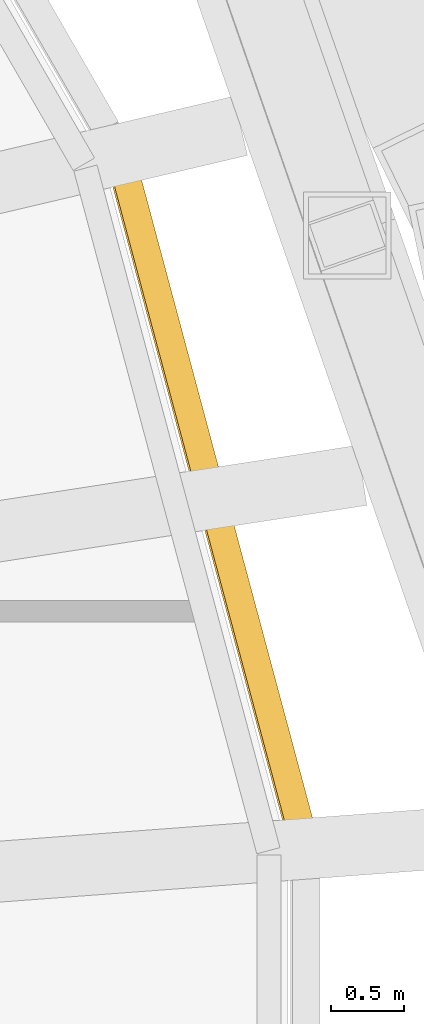
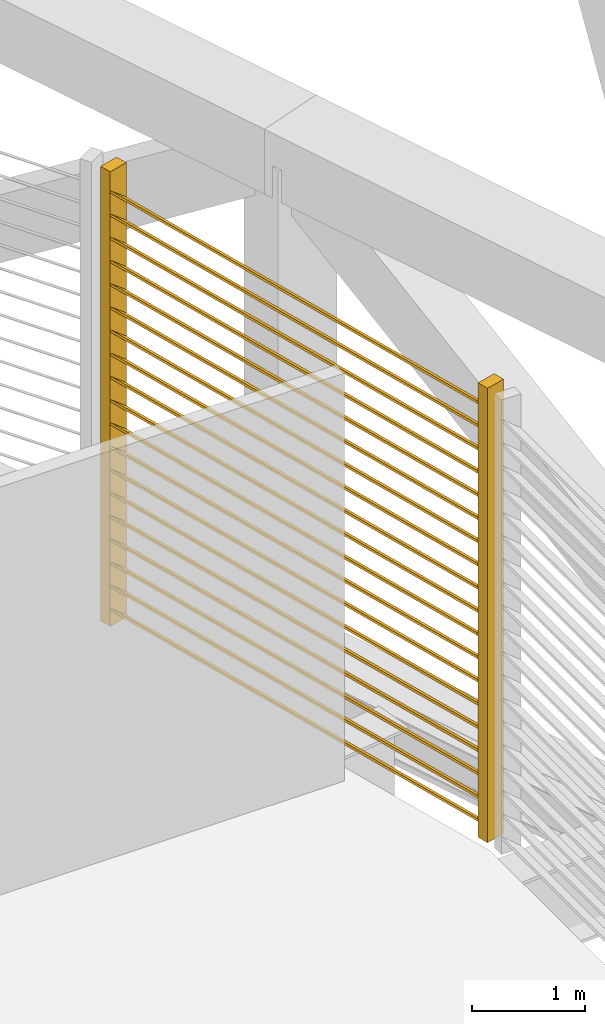
# One storey, part 18 of 18: 1 shading device.
"""IFC4 building model written with IfcOpenShell, lengths in metres."""

from ifc_helpers import new_model, si_unit, direction, frame, origin, origin_2d, place, context, subcontext, project, spatial, rectangle, extrude, material, type_object, element, save


model = new_model("IFC4")

# Units and contexts
model_context = context("Model", 3, precision=1e-05, world=origin(), true_north=direction((0.0, 1.0)))
body_context = subcontext(model_context, "Body", "Model", "MODEL_VIEW")
ifc_project = project(units=[si_unit("LENGTHUNIT", "METRE"), si_unit("AREAUNIT", "SQUARE_METRE"), si_unit("VOLUMEUNIT", "CUBIC_METRE"), si_unit("PLANEANGLEUNIT", "RADIAN"), si_unit("MASSUNIT", "GRAM", prefix="KILO")], contexts=[model_context])

# Site, building, storey
site_placement = place(None, origin())
site = spatial("IfcSite", under=ifc_project, at=site_placement, CompositionType="ELEMENT")
building_placement = place(site_placement, origin())
building = spatial("IfcBuilding", under=site, at=building_placement, Name="Sahrelin Media Tower", CompositionType="ELEMENT")
storey_placement = place(building_placement, frame((0.0, 0.0, 148.199951171875)))
storey = spatial("IfcBuildingStorey", under=building, at=storey_placement, Name="L30", CompositionType="ELEMENT", Elevation=148.199951171875)

# Shading device
ifc_material = material(Name="Champagne anodised aluminium 6063-T6", Category="aluminium")
shading_device_type = type_object("IfcShadingDeviceType", Name="Sand-rejection louvre band", PredefinedType="USERDEFINED", material=ifc_material)
shading_device_placement = place(storey_placement, frame((30.908203125, 4.740478515625, 0.0), z_axis=(0.0, 0.0, 1.0), x_axis=(0.258807731996, -0.965928857556, 0.0)))
element("IfcShadingDevice", 1, at=shading_device_placement, inside=storey, type_object=shading_device_type, Name="L30:LOUVRE:L30-01", ObjectType="LOUVRE", PredefinedType="USERDEFINED", context=body_context, shape_type="SweptSolid", body=[
    extrude(rectangle(XDim=0.1201171875, YDim=0.199951171875, at=origin_2d()), frame((2.356201171875, 0.10009765625, 0.050048828125), z_axis=(0.0, 0.0, 1.0), x_axis=(1.0, 0.0, 0.0)), (0.0, 0.0, 1.0), 4.8984375),
    extrude(rectangle(XDim=0.1201171875, YDim=0.199951171875, at=origin_2d()), frame((-2.356201171875, 0.10009765625, 0.050048828125), z_axis=(0.0, 0.0, 1.0), x_axis=(1.0, 0.0, 0.0)), (0.0, 0.0, 1.0), 4.8984375),
    extrude(rectangle(XDim=0.25, YDim=0.02001953125, at=origin_2d()), frame((2.29638671875, 0.10009765625, 0.14990234375), z_axis=(-1.0, 0.0, 0.0), x_axis=(0.0, -0.766044443119, 0.642787609687)), (0.0, 0.0, 1.0), 4.5927734375),
    extrude(rectangle(XDim=0.25, YDim=0.02001953125, at=origin_2d()), frame((2.29638671875, 0.10009765625, 0.39990234375), z_axis=(-1.0, 0.0, 0.0), x_axis=(0.0, -0.766044443119, 0.642787609687)), (0.0, 0.0, 1.0), 4.5927734375),
    extrude(rectangle(XDim=0.25, YDim=0.02001953125, at=origin_2d()), frame((2.29638671875, 0.10009765625, 0.64990234375), z_axis=(-1.0, 0.0, 0.0), x_axis=(0.0, -0.766044443119, 0.642787609687)), (0.0, 0.0, 1.0), 4.5927734375),
    extrude(rectangle(XDim=0.25, YDim=0.02001953125, at=origin_2d()), frame((2.29638671875, 0.10009765625, 0.89990234375), z_axis=(-1.0, 0.0, 0.0), x_axis=(0.0, -0.766044443119, 0.642787609687)), (0.0, 0.0, 1.0), 4.5927734375),
    extrude(rectangle(XDim=0.25, YDim=0.02001953125, at=origin_2d()), frame((2.29638671875, 0.10009765625, 1.14990234375), z_axis=(-1.0, 0.0, 0.0), x_axis=(0.0, -0.766044443119, 0.642787609687)), (0.0, 0.0, 1.0), 4.5927734375),
    extrude(rectangle(XDim=0.25, YDim=0.02001953125, at=origin_2d()), frame((2.29638671875, 0.10009765625, 1.39990234375), z_axis=(-1.0, 0.0, 0.0), x_axis=(0.0, -0.766044443119, 0.642787609687)), (0.0, 0.0, 1.0), 4.5927734375),
    extrude(rectangle(XDim=0.25, YDim=0.02001953125, at=origin_2d()), frame((2.29638671875, 0.10009765625, 1.64990234375), z_axis=(-1.0, 0.0, 0.0), x_axis=(0.0, -0.766044443119, 0.642787609687)), (0.0, 0.0, 1.0), 4.5927734375),
    extrude(rectangle(XDim=0.25, YDim=0.02001953125, at=origin_2d()), frame((2.29638671875, 0.10009765625, 1.89990234375), z_axis=(-1.0, 0.0, 0.0), x_axis=(0.0, -0.766044443119, 0.642787609687)), (0.0, 0.0, 1.0), 4.5927734375),
    extrude(rectangle(XDim=0.25, YDim=0.02001953125, at=origin_2d()), frame((2.29638671875, 0.10009765625, 2.14990234375), z_axis=(-1.0, 0.0, 0.0), x_axis=(0.0, -0.766044443119, 0.642787609687)), (0.0, 0.0, 1.0), 4.5927734375),
    extrude(rectangle(XDim=0.25, YDim=0.02001953125, at=origin_2d()), frame((2.29638671875, 0.10009765625, 2.39990234375), z_axis=(-1.0, 0.0, 0.0), x_axis=(0.0, -0.766044443119, 0.642787609687)), (0.0, 0.0, 1.0), 4.5927734375),
    extrude(rectangle(XDim=0.25, YDim=0.02001953125, at=origin_2d()), frame((2.29638671875, 0.10009765625, 2.64990234375), z_axis=(-1.0, 0.0, 0.0), x_axis=(0.0, -0.766044443119, 0.642787609687)), (0.0, 0.0, 1.0), 4.5927734375),
    extrude(rectangle(XDim=0.25, YDim=0.02001953125, at=origin_2d()), frame((2.29638671875, 0.10009765625, 2.89990234375), z_axis=(-1.0, 0.0, 0.0), x_axis=(0.0, -0.766044443119, 0.642787609687)), (0.0, 0.0, 1.0), 4.5927734375),
    extrude(rectangle(XDim=0.25, YDim=0.02001953125, at=origin_2d()), frame((2.29638671875, 0.10009765625, 3.14990234375), z_axis=(-1.0, 0.0, 0.0), x_axis=(0.0, -0.766044443119, 0.642787609687)), (0.0, 0.0, 1.0), 4.5927734375),
    extrude(rectangle(XDim=0.25, YDim=0.02001953125, at=origin_2d()), frame((2.29638671875, 0.10009765625, 3.39990234375), z_axis=(-1.0, 0.0, 0.0), x_axis=(0.0, -0.766044443119, 0.642787609687)), (0.0, 0.0, 1.0), 4.5927734375),
    extrude(rectangle(XDim=0.25, YDim=0.02001953125, at=origin_2d()), frame((2.29638671875, 0.10009765625, 3.64990234375), z_axis=(-1.0, 0.0, 0.0), x_axis=(0.0, -0.766044443119, 0.642787609687)), (0.0, 0.0, 1.0), 4.5927734375),
    extrude(rectangle(XDim=0.25, YDim=0.02001953125, at=origin_2d()), frame((2.29638671875, 0.10009765625, 3.89990234375), z_axis=(-1.0, 0.0, 0.0), x_axis=(0.0, -0.766044443119, 0.642787609687)), (0.0, 0.0, 1.0), 4.5927734375),
    extrude(rectangle(XDim=0.25, YDim=0.02001953125, at=origin_2d()), frame((2.29638671875, 0.10009765625, 4.14990234375), z_axis=(-1.0, 0.0, 0.0), x_axis=(0.0, -0.766044443119, 0.642787609687)), (0.0, 0.0, 1.0), 4.5927734375),
    extrude(rectangle(XDim=0.25, YDim=0.02001953125, at=origin_2d()), frame((2.29638671875, 0.10009765625, 4.39990234375), z_axis=(-1.0, 0.0, 0.0), x_axis=(0.0, -0.766044443119, 0.642787609687)), (0.0, 0.0, 1.0), 4.5927734375),
    extrude(rectangle(XDim=0.25, YDim=0.02001953125, at=origin_2d()), frame((2.29638671875, 0.10009765625, 4.64990234375), z_axis=(-1.0, 0.0, 0.0), x_axis=(0.0, -0.766044443119, 0.642787609687)), (0.0, 0.0, 1.0), 4.5927734375),
])

save(model, "model.ifc")
